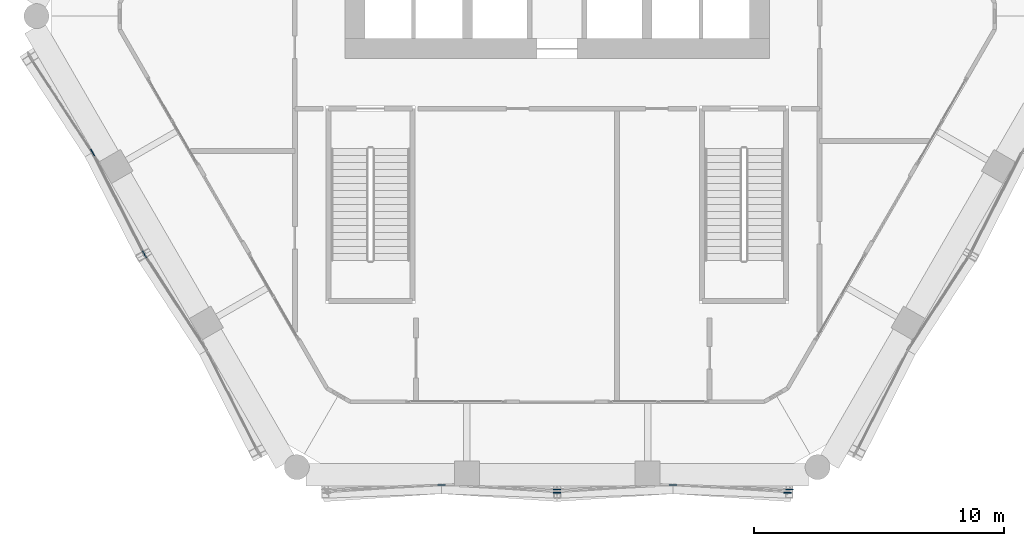
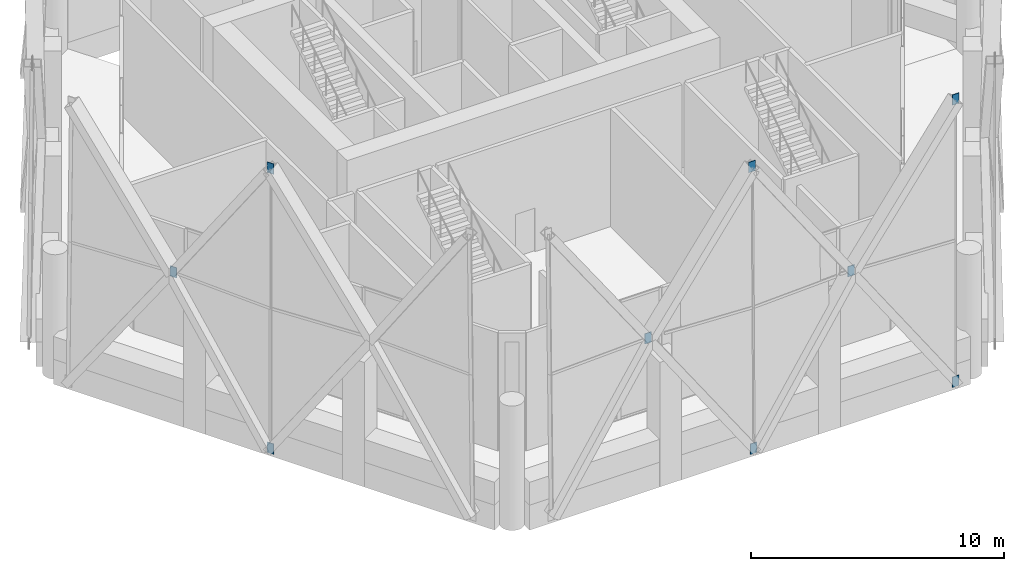
# One storey, part 39 of 43: 9 discrete accessories.
"""IFC4 building model written with IfcOpenShell, lengths in metres."""

from ifc_helpers import new_model, si_unit, direction, frame, origin, origin_2d, place, context, subcontext, project, spatial, rectangle, extrude, material, layer, layer_set, type_object, element, save


model = new_model("IFC4")

# Units and contexts
model_context = context("Model", 3, precision=1e-05, world=origin(), true_north=direction((0.0, 1.0)))
body_context = subcontext(model_context, "Body", "Model", "MODEL_VIEW")
ifc_project = project(units=[si_unit("LENGTHUNIT", "METRE"), si_unit("AREAUNIT", "SQUARE_METRE"), si_unit("VOLUMEUNIT", "CUBIC_METRE"), si_unit("PLANEANGLEUNIT", "RADIAN"), si_unit("MASSUNIT", "GRAM", prefix="KILO")], contexts=[model_context])

# Site, building, storey
site_placement = place(None, origin())
site = spatial("IfcSite", under=ifc_project, at=site_placement, CompositionType="ELEMENT")
building_placement = place(site_placement, origin())
building = spatial("IfcBuilding", under=site, at=building_placement, Name="Ostrander Bayou Hotel Tower", CompositionType="ELEMENT")
storey_placement = place(building_placement, frame((0.0, 0.0, 151.0)))
storey = spatial("IfcBuildingStorey", under=building, at=storey_placement, Name="L37", CompositionType="ELEMENT", Elevation=151.0)

# Discrete accessories
ifc_material = material(Name="Steel ASTM A572 Gr 50", Category="steel")
ifc_layer = layer(ifc_material, 0.030029296875)
ifc_layer_set = layer_set([ifc_layer], Name="GP1 gusset plate 30 mm")
discrete_accessory_type = type_object("IfcDiscreteAccessoryType", Name="GP1 gusset plate 30 mm", PredefinedType="BRACKET", material=ifc_layer_set)
for number, where, z_axis, x_axis, name in (
    (1, (-18.591552734375, -5.455078125, 5.89990234375), (0.0, 0.0, 1.0), (0.5, -0.866025403784, 0.0), "GP1 gusset plate lat 219"),
    (2, (-16.51513671875, -9.534912109375, -0.85009765625), (0.0, 0.0, 1.0), (0.5, -0.866025403784, 0.0), "GP1 gusset plate lat 222"),
    (3, (-16.51513671875, -9.534912109375, 12.64990234375), (0.0, 0.0, 1.0), (0.5, -0.866025403784, 0.0), "GP1 gusset plate lat 223"),
    (4, (-4.628173828125, -18.762939453125, 5.89990234375), (0.0, 0.0, 1.0), (1.0, 0.0, 0.0), "GP1 gusset plate lat 227"),
    (5, (0.0, -19.070068359375, -0.85009765625), (0.0, 0.0, 1.0), (1.0, 0.0, 0.0), "GP1 gusset plate lat 230"),
    (6, (0.0, -18.939208984375, 12.64990234375), (0.0, 0.0, 1.0), (1.0, 0.0, 0.0), "GP1 gusset plate lat 231"),
    (7, (4.628173828125, -18.762939453125, 5.89990234375), (0.0, 0.0, 1.0), (1.0, 0.0, 0.0), "GP1 gusset plate lat 232"),
    (8, (9.218505859375, -19.070068359375, -0.85009765625), (0.0, 0.0, 1.0), (1.0, 0.0, 0.0), "GP1 gusset plate lat 233"),
    (9, (9.294189453125, -18.939208984375, 12.64990234375), (0.0, 0.0, 1.0), (1.0, 0.0, 0.0), "GP1 gusset plate lat 234"),
):
    element("IfcDiscreteAccessory", number, at=place(storey_placement, frame(where, z_axis=z_axis, x_axis=x_axis)), inside=storey, type_object=discrete_accessory_type, Name=name, PredefinedType="BRACKET", context=body_context, shape_type="SweptSolid", body=[
        extrude(rectangle(XDim=0.300048828125, YDim=0.030029296875, at=origin_2d()), origin(), (0.0, 0.0, 1.0), 0.5),
    ])

save(model, "model.ifc")
